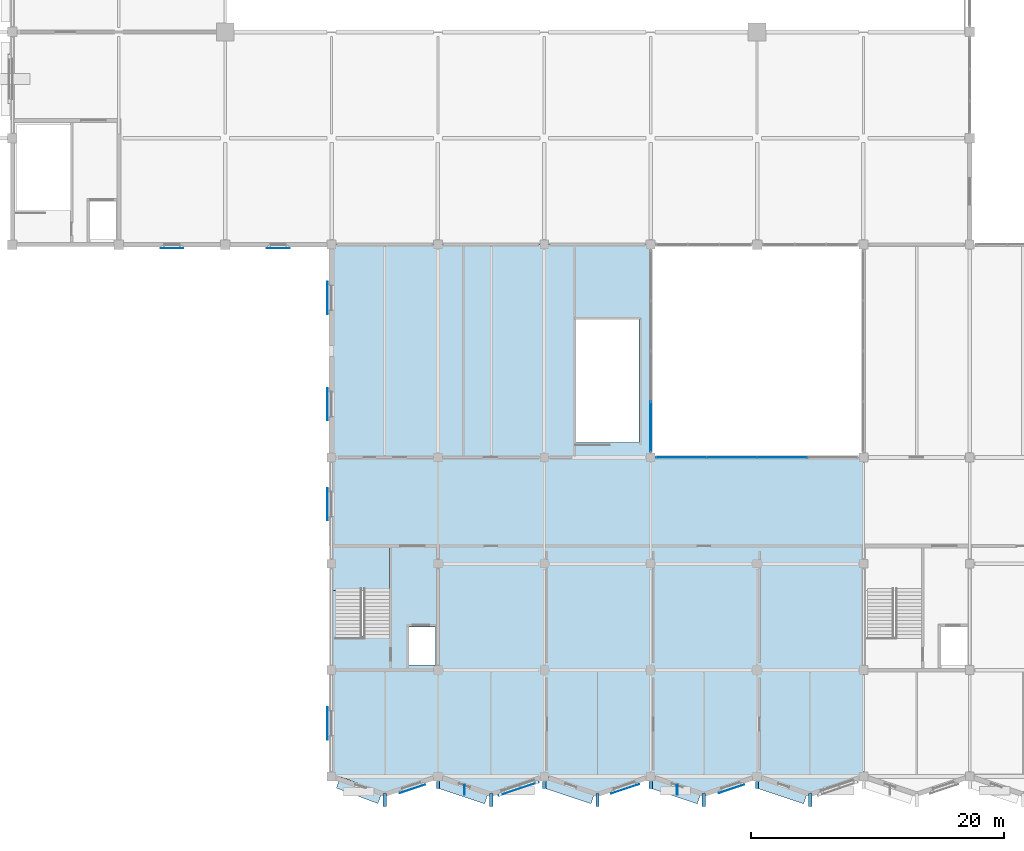
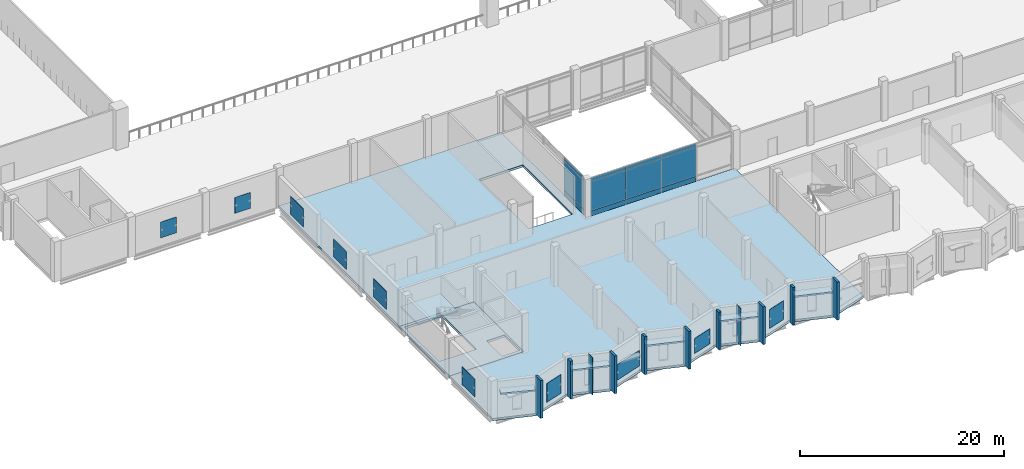
# One storey, part 69 of 110: 38 plates, 3 slabs, 3 elements without a shape of their own.
"""IFC4 building model written with IfcOpenShell, lengths in metres."""

from ifc_helpers import new_model, si_unit, direction, frame, frame_2d, origin, place, context, subcontext, project, spatial, polyline, rectangle, outline, extrude, material, layer, layer_set, type_object, element, aggregate, save


model = new_model("IFC4")

# Units and contexts
model_context = context("Model", 3, precision=1e-05, world=origin(), true_north=direction((0.0, 1.0)))
body_context = subcontext(model_context, "Body", "Model", "MODEL_VIEW")
ifc_project = project(units=[si_unit("LENGTHUNIT", "METRE"), si_unit("AREAUNIT", "SQUARE_METRE"), si_unit("VOLUMEUNIT", "CUBIC_METRE"), si_unit("PLANEANGLEUNIT", "RADIAN"), si_unit("MASSUNIT", "GRAM", prefix="KILO")], contexts=[model_context])

# Site, building, storey
site_placement = place(None, origin())
site = spatial("IfcSite", under=ifc_project, at=site_placement, CompositionType="ELEMENT")
building_placement = place(site_placement, origin())
building = spatial("IfcBuilding", under=site, at=building_placement, Name="Qawsi Khor Wholesale Market", CompositionType="ELEMENT")
storey_placement = place(building_placement, frame((0.0, 0.0, 11.39990234375)))
storey = spatial("IfcBuildingStorey", under=building, at=storey_placement, Name="L02", CompositionType="ELEMENT", Elevation=11.39990234375)

# Curtain wall, plates
ifc_material_1 = material(Name="Aluminium Anodised Bronze", Category="aluminium")
ifc_layer_1 = layer(ifc_material_1, 0.179931640625, Name="Aluminium Anodised Bronze")
ifc_layer_set_1 = layer_set([ifc_layer_1], Name="Aluminium Anodised Bronze")
curtain_wall_type = type_object("IfcCurtainWallType", Name="Atrium Full-Height Curtain Wall CW-02", PredefinedType="NOTDEFINED", material=ifc_layer_set_1)
curtain_wall_1_placement = place(storey_placement, origin())
curtain_wall_1 = element("IfcCurtainWall", 1, at=curtain_wall_1_placement, inside=storey, type_object=curtain_wall_type, Name="Curtain wall CW-CW-02-L02-021", PredefinedType="NOTDEFINED")
ifc_material_2 = material(Name="Anodised Aluminium Spandrel", Category="aluminium")
ifc_layer_2 = layer(ifc_material_2, 0.06494140625, Name="Anodised Aluminium Spandrel")
ifc_layer_set_2 = layer_set([ifc_layer_2], Name="Anodised Aluminium Spandrel")
plate_type_1 = type_object("IfcPlateType", Name="Insulated Spandrel Panel CW-02 65mm", PredefinedType="CURTAIN_PANEL", material=ifc_layer_set_2)
plate_1_placement = place(storey_placement, frame((50.844970703125, 25.199951171875, 0.005126953125), z_axis=(0.0, 0.0, 1.0), x_axis=(1.0, 0.0, 0.0)))
plate_1 = element("IfcPlate", 2, at=plate_1_placement, type_object=plate_type_1, Name="Curtain panel CW-CW-02-L02-021-P0_00", PredefinedType="CURTAIN_PANEL", context=body_context, shape_type="SweptSolid", body=[
    extrude(rectangle(XDim=3.9775390625, YDim=0.06494140625, at=frame_2d((1.98876953125, 0.0))), origin(), (0.0, 0.0, 1.0), 0.590087890625),
])
plate_2_placement = place(storey_placement, frame((54.822509765625, 25.199951171875, 0.005126953125), z_axis=(0.0, 0.0, 1.0), x_axis=(1.0, 0.0, 0.0)))
plate_2 = element("IfcPlate", 3, at=plate_2_placement, type_object=plate_type_1, Name="Curtain panel CW-CW-02-L02-021-P0_01", PredefinedType="CURTAIN_PANEL", context=body_context, shape_type="SweptSolid", body=[
    extrude(rectangle(XDim=3.9775390625, YDim=0.06494140625, at=frame_2d((1.98876953125, 0.0))), origin(), (0.0, 0.0, 1.0), 0.590087890625),
])
plate_3_placement = place(storey_placement, frame((58.800048828125, 25.199951171875, 0.005126953125), z_axis=(0.0, 0.0, 1.0), x_axis=(1.0, 0.0, 0.0)))
plate_3 = element("IfcPlate", 4, at=plate_3_placement, type_object=plate_type_1, Name="Curtain panel CW-CW-02-L02-021-P0_02", PredefinedType="CURTAIN_PANEL", context=body_context, shape_type="SweptSolid", body=[
    extrude(rectangle(XDim=3.9775390625, YDim=0.06494140625, at=frame_2d((1.98876953125, 0.0))), origin(), (0.0, 0.0, 1.0), 0.590087890625),
])

# Curtain wall, plate
curtain_wall_2_placement = place(storey_placement, origin())
curtain_wall_2 = element("IfcCurtainWall", 5, at=curtain_wall_2_placement, inside=storey, type_object=curtain_wall_type, Name="Curtain wall CW-CW-02-L02-024", PredefinedType="NOTDEFINED")
plate_4_placement = place(storey_placement, frame((50.39990234375, 25.64501953125, 0.005126953125), z_axis=(0.0, 0.0, 1.0), x_axis=(0.0, 1.0, 0.0)))
plate_4 = element("IfcPlate", 6, at=plate_4_placement, type_object=plate_type_1, Name="Curtain panel CW-CW-02-L02-024-P0_00", PredefinedType="CURTAIN_PANEL", context=body_context, shape_type="SweptSolid", body=[
    extrude(rectangle(XDim=3.9775390625, YDim=0.06494140625, at=frame_2d((1.98876953125, 0.0))), origin(), (0.0, 0.0, 1.0), 0.590087890625),
])

# Plates
ifc_material_3 = material(Name="Perforated Bronze-Anodised Aluminium", Category="aluminium")
ifc_layer_3 = layer(ifc_material_3, 0.014892578125, Name="Perforated Bronze-Anodised Aluminium")
ifc_layer_set_3 = layer_set([ifc_layer_3], Name="Perforated Bronze-Anodised Aluminium")
plate_type_2 = type_object("IfcPlateType", Name="Perforated Bronze Mashrabiya Screen 15mm", PredefinedType="SHEET", material=ifc_layer_set_3)
plate_5_placement = place(storey_placement, frame((13.5, 41.72509765625, 1.050048828125), z_axis=(0.0, 0.0, 1.0), x_axis=(-1.0, 0.0, 0.0)))
element("IfcPlate", 7, at=plate_5_placement, inside=storey, type_object=plate_type_2, Name="Solar mashrabiya screen 083", PredefinedType="SHEET", context=body_context, shape_type="SweptSolid", body=[
    extrude(rectangle(XDim=1.800048828125, YDim=0.014892578125, at=frame_2d((0.89990234375, 0.0))), origin(), (0.0, 0.0, 1.0), 1.900146484375),
])
plate_6_placement = place(storey_placement, frame((21.89990234375, 41.72509765625, 1.050048828125), z_axis=(0.0, 0.0, 1.0), x_axis=(-1.0, 0.0, 0.0)))
element("IfcPlate", 8, at=plate_6_placement, inside=storey, type_object=plate_type_2, Name="Solar mashrabiya screen 084", PredefinedType="SHEET", context=body_context, shape_type="SweptSolid", body=[
    extrude(rectangle(XDim=1.7998046875, YDim=0.014892578125, at=frame_2d((0.89990234375, 0.0))), origin(), (0.0, 0.0, 1.0), 1.900146484375),
])
ifc_layer_4 = layer(ifc_material_3, 0.02001953125, Name="Perforated Bronze-Anodised Aluminium")
ifc_layer_set_4 = layer_set([ifc_layer_4], Name="Perforated Bronze-Anodised Aluminium")
plate_type_3 = type_object("IfcPlateType", Name="Perforated Bronze Mashrabiya Screen 20mm", PredefinedType="SHEET", material=ifc_layer_set_4)
plate_7_placement = place(storey_placement, frame((32.5869140625, -0.63818359375, 0.85009765625), z_axis=(0.0, 0.0, 1.0), x_axis=(-0.948694922148, -0.316192891587, 0.0)))
element("IfcPlate", 9, at=plate_7_placement, inside=storey, type_object=plate_type_3, Name="Solar mashrabiya screen 021", PredefinedType="SHEET", context=body_context, shape_type="SweptSolid", body=[
    extrude(rectangle(XDim=2.10009765625, YDim=0.02001953125, at=frame_2d((1.050048828125, 0.0))), origin(), (0.0, 0.0, 1.0), 2.25),
])
plate_8_placement = place(storey_placement, frame((41.555908203125, -0.448486328125, 0.85009765625), z_axis=(0.0, 0.0, 1.0), x_axis=(-0.948690696143, -0.316205570874, 0.0)))
element("IfcPlate", 10, at=plate_8_placement, inside=storey, type_object=plate_type_3, Name="Solar mashrabiya screen 022", PredefinedType="SHEET", context=body_context, shape_type="SweptSolid", body=[
    extrude(rectangle(XDim=3.300048828125, YDim=0.02001953125, at=frame_2d((1.64990234375, 0.0))), origin(), (0.0, 0.0, 1.0), 1.85009765625),
])
plate_9_placement = place(storey_placement, frame((49.4912109375, -0.603515625, 0.85009765625), z_axis=(0.0, 0.0, 1.0), x_axis=(-0.948714864533, -0.31613305081, 0.0)))
element("IfcPlate", 11, at=plate_9_placement, inside=storey, type_object=plate_type_3, Name="Solar mashrabiya screen 023", PredefinedType="SHEET", context=body_context, shape_type="SweptSolid", body=[
    extrude(rectangle(XDim=2.31982421875, YDim=0.02001953125, at=frame_2d((1.159912109375, 0.0))), origin(), (0.0, 0.0, 1.0), 1.800048828125),
])
plate_10_placement = place(storey_placement, frame((57.786865234375, -0.63818359375, 0.85009765625), z_axis=(0.0, 0.0, 1.0), x_axis=(-0.948694922148, -0.316192891587, 0.0)))
element("IfcPlate", 12, at=plate_10_placement, inside=storey, type_object=plate_type_3, Name="Solar mashrabiya screen 024", PredefinedType="SHEET", context=body_context, shape_type="SweptSolid", body=[
    extrude(rectangle(XDim=2.10009765625, YDim=0.02001953125, at=frame_2d((1.050048828125, 0.0))), origin(), (0.0, 0.0, 1.0), 2.25),
])
plate_11_placement = place(storey_placement, frame((24.885009765625, 2.925048828125, 0.900146484375), z_axis=(0.0, 0.0, 1.0), x_axis=(0.0, 1.0, 0.0)))
element("IfcPlate", 13, at=plate_11_placement, inside=storey, type_object=plate_type_3, Name="Solar mashrabiya screen 060", PredefinedType="SHEET", context=body_context, shape_type="SweptSolid", body=[
    extrude(rectangle(XDim=2.550048828125, YDim=0.02001953125, at=frame_2d((1.27490234375, 0.0))), origin(), (0.0, 0.0, 1.0), 2.14990234375),
])
plate_12_placement = place(storey_placement, frame((24.885009765625, 20.22509765625, 0.900146484375), z_axis=(0.0, 0.0, 1.0), x_axis=(0.0, 1.0, 0.0)))
element("IfcPlate", 14, at=plate_12_placement, inside=storey, type_object=plate_type_3, Name="Solar mashrabiya screen 061", PredefinedType="SHEET", context=body_context, shape_type="SweptSolid", body=[
    extrude(rectangle(XDim=2.5498046875, YDim=0.02001953125, at=frame_2d((1.27490234375, 0.0))), origin(), (0.0, 0.0, 1.0), 2.14990234375),
])
for number, where, z_axis, x_axis, name in (
    (15, (24.885009765625, 28.125, 0.900146484375), (0.0, 0.0, 1.0), (0.0, 1.0, 0.0), "Solar mashrabiya screen 062"),
    (16, (24.885009765625, 36.52490234375, 0.900146484375), (0.0, 0.0, 1.0), (0.0, 1.0, 0.0), "Solar mashrabiya screen 063"),
):
    element("IfcPlate", number, at=place(storey_placement, frame(where, z_axis=z_axis, x_axis=x_axis)), inside=storey, type_object=plate_type_3, Name=name, PredefinedType="SHEET", context=body_context, shape_type="SweptSolid", body=[
        extrude(rectangle(XDim=2.550048828125, YDim=0.02001953125, at=frame_2d((1.27490234375, 0.0))), origin(), (0.0, 0.0, 1.0), 2.14990234375),
    ])
ifc_material_4 = material(Name="Concrete C40/50", Category="concrete")
ifc_layer_5 = layer(ifc_material_4, 0.260009765625, Name="Concrete C40/50")
ifc_layer_set_5 = layer_set([ifc_layer_5], Name="Concrete C40/50")
plate_type_4 = type_object("IfcPlateType", Name="Sculpted Concrete Solar Buttress Fin 260", PredefinedType="SHEET", material=ifc_layer_set_5)
plate_13_placement = place(storey_placement, frame((29.39990234375, -2.35009765625, 0.0), z_axis=(0.0, 0.0, 1.0), x_axis=(0.0, 1.0, 0.0)))
element("IfcPlate", 17, at=plate_13_placement, inside=storey, type_object=plate_type_4, Name="Boulevard concrete solar buttress fin L02-01", PredefinedType="SHEET", context=body_context, shape_type="SweptSolid", body=[
    extrude(rectangle(XDim=1.0, YDim=0.260009765625, at=frame_2d((0.5, 0.0))), origin(), (0.0, 0.0, 1.0), 4.52001953125),
])
plate_14_placement = place(storey_placement, frame((33.60009765625, -0.949951171875, 0.0), z_axis=(0.0, 0.0, 1.0), x_axis=(0.0, 1.0, 0.0)))
element("IfcPlate", 18, at=plate_14_placement, inside=storey, type_object=plate_type_4, Name="Boulevard concrete solar buttress fin L02-02", PredefinedType="SHEET", context=body_context, shape_type="SweptSolid", body=[
    extrude(rectangle(XDim=0.570068359375, YDim=0.260009765625, at=frame_2d((0.28515625, 0.0))), origin(), (0.0, 0.0, 1.0), 4.52001953125),
])
plate_15_placement = place(storey_placement, frame((37.800048828125, -2.35009765625, 0.0), z_axis=(0.0, 0.0, 1.0), x_axis=(0.0, 1.0, 0.0)))
element("IfcPlate", 19, at=plate_15_placement, inside=storey, type_object=plate_type_4, Name="Boulevard concrete solar buttress fin L02-03", PredefinedType="SHEET", context=body_context, shape_type="SweptSolid", body=[
    extrude(rectangle(XDim=1.0, YDim=0.260009765625, at=frame_2d((0.5, 0.0))), origin(), (0.0, 0.0, 1.0), 4.52001953125),
])
plate_16_placement = place(storey_placement, frame((42.0, -0.949951171875, 0.0), z_axis=(0.0, 0.0, 1.0), x_axis=(0.0, 1.0, 0.0)))
element("IfcPlate", 20, at=plate_16_placement, inside=storey, type_object=plate_type_4, Name="Boulevard concrete solar buttress fin L02-04", PredefinedType="SHEET", context=body_context, shape_type="SweptSolid", body=[
    extrude(rectangle(XDim=0.570068359375, YDim=0.260009765625, at=frame_2d((0.28515625, 0.0))), origin(), (0.0, 0.0, 1.0), 4.52001953125),
])
plate_17_placement = place(storey_placement, frame((46.199951171875, -2.35009765625, 0.0), z_axis=(0.0, 0.0, 1.0), x_axis=(0.0, 1.0, 0.0)))
element("IfcPlate", 21, at=plate_17_placement, inside=storey, type_object=plate_type_4, Name="Boulevard concrete solar buttress fin L02-05", PredefinedType="SHEET", context=body_context, shape_type="SweptSolid", body=[
    extrude(rectangle(XDim=1.0, YDim=0.260009765625, at=frame_2d((0.5, 0.0))), origin(), (0.0, 0.0, 1.0), 4.52001953125),
])
plate_18_placement = place(storey_placement, frame((50.39990234375, -0.949951171875, 0.0), z_axis=(0.0, 0.0, 1.0), x_axis=(0.0, 1.0, 0.0)))
element("IfcPlate", 22, at=plate_18_placement, inside=storey, type_object=plate_type_4, Name="Boulevard concrete solar buttress fin L02-06", PredefinedType="SHEET", context=body_context, shape_type="SweptSolid", body=[
    extrude(rectangle(XDim=0.570068359375, YDim=0.260009765625, at=frame_2d((0.28515625, 0.0))), origin(), (0.0, 0.0, 1.0), 4.52001953125),
])
plate_19_placement = place(storey_placement, frame((54.60009765625, -2.35009765625, 0.0), z_axis=(0.0, 0.0, 1.0), x_axis=(0.0, 1.0, 0.0)))
element("IfcPlate", 23, at=plate_19_placement, inside=storey, type_object=plate_type_4, Name="Boulevard concrete solar buttress fin L02-07", PredefinedType="SHEET", context=body_context, shape_type="SweptSolid", body=[
    extrude(rectangle(XDim=1.0, YDim=0.260009765625, at=frame_2d((0.5, 0.0))), origin(), (0.0, 0.0, 1.0), 4.52001953125),
])
plate_20_placement = place(storey_placement, frame((58.800048828125, -0.949951171875, 0.0), z_axis=(0.0, 0.0, 1.0), x_axis=(0.0, 1.0, 0.0)))
element("IfcPlate", 24, at=plate_20_placement, inside=storey, type_object=plate_type_4, Name="Boulevard concrete solar buttress fin L02-08", PredefinedType="SHEET", context=body_context, shape_type="SweptSolid", body=[
    extrude(rectangle(XDim=0.570068359375, YDim=0.260009765625, at=frame_2d((0.28515625, 0.0))), origin(), (0.0, 0.0, 1.0), 4.52001953125),
])
plate_21_placement = place(storey_placement, frame((63.0, -2.35009765625, 0.0), z_axis=(0.0, 0.0, 1.0), x_axis=(0.0, 1.0, 0.0)))
element("IfcPlate", 25, at=plate_21_placement, inside=storey, type_object=plate_type_4, Name="Boulevard concrete solar buttress fin L02-09", PredefinedType="SHEET", context=body_context, shape_type="SweptSolid", body=[
    extrude(rectangle(XDim=1.0, YDim=0.260009765625, at=frame_2d((0.5, 0.0))), origin(), (0.0, 0.0, 1.0), 4.52001953125),
])
ifc_layer_6 = layer(ifc_material_4, 0.949951171875, Name="Concrete C40/50")
ifc_layer_set_6 = layer_set([ifc_layer_6], Name="Concrete C40/50")
plate_type_5 = type_object("IfcPlateType", Name="Sculpted Concrete Sun-Hood Canopy 950", PredefinedType="SHEET", material=ifc_layer_set_6)
plate_22_placement = place(storey_placement, frame((25.744384765625, -0.462158203125, 3.25), z_axis=(0.0, 0.0, 1.0), x_axis=(0.936840905705, -0.349755796803, 0.0)))
element("IfcPlate", 26, at=plate_22_placement, inside=storey, type_object=plate_type_5, Name="Sculpted concrete sun-hood L02-01", PredefinedType="SHEET", context=body_context, shape_type="SweptSolid", body=[
    extrude(rectangle(XDim=3.502685546875, YDim=0.949951171875, at=frame_2d((1.75146484375, 0.0))), origin(), (0.0, 0.0, 1.0), 0.190185546875),
])
for number, where, z_axis, x_axis, name in (
    (27, (33.710693359375, -0.45849609375, 3.25), (0.0, 0.0, 1.0), (0.94867708111, -0.316246416226, 0.0), "Sculpted concrete sun-hood L02-03"),
    (28, (42.110595703125, -0.45849609375, 3.25), (0.0, 0.0, 1.0), (0.94867708111, -0.316246416226, 0.0), "Sculpted concrete sun-hood L02-05"),
    (29, (50.5107421875, -0.45849609375, 3.25), (0.0, 0.0, 1.0), (0.94867708111, -0.316246416226, 0.0), "Sculpted concrete sun-hood L02-07"),
    (30, (58.91064453125, -0.45849609375, 3.25), (0.0, 0.0, 1.0), (0.94867708111, -0.316246416226, 0.0), "Sculpted concrete sun-hood L02-09"),
):
    element("IfcPlate", number, at=place(storey_placement, frame(where, z_axis=z_axis, x_axis=x_axis)), inside=storey, type_object=plate_type_5, Name=name, PredefinedType="SHEET", context=body_context, shape_type="SweptSolid", body=[
        extrude(rectangle(XDim=3.92724609375, YDim=0.949951171875, at=frame_2d((1.963623046875, 0.0))), origin(), (0.0, 0.0, 1.0), 0.190185546875),
    ])

# Plate
ifc_material_5 = material(Name="Tempered Low-E Solar Glass", Category="glass")
ifc_layer_7 = layer(ifc_material_5, 0.031982421875, Name="Tempered Low-E Solar Glass")
ifc_layer_set_7 = layer_set([ifc_layer_7], Name="Tempered Low-E Solar Glass")
plate_type_6 = type_object("IfcPlateType", Name="Solar Double-Glazed Unit CW-02 32mm", PredefinedType="CURTAIN_PANEL", material=ifc_layer_set_7)
plate_23_placement = place(storey_placement, frame((50.844970703125, 25.199951171875, 0.60498046875), z_axis=(0.0, 0.0, 1.0), x_axis=(1.0, 0.0, 0.0)))
plate_23 = element("IfcPlate", 31, at=plate_23_placement, type_object=plate_type_6, Name="Curtain panel CW-CW-02-L02-021-P1_00", PredefinedType="CURTAIN_PANEL", context=body_context, shape_type="SweptSolid", body=[
    extrude(rectangle(XDim=3.9775390625, YDim=0.031982421875, at=frame_2d((1.98876953125, 0.0))), origin(), (0.0, 0.0, 1.0), 3.460205078125),
])

plate_24_placement = place(storey_placement, frame((54.822509765625, 25.199951171875, 0.60498046875), z_axis=(0.0, 0.0, 1.0), x_axis=(1.0, 0.0, 0.0)))
plate_24 = element("IfcPlate", 32, at=plate_24_placement, type_object=plate_type_6, Name="Curtain panel CW-CW-02-L02-021-P1_01", PredefinedType="CURTAIN_PANEL", context=body_context, shape_type="SweptSolid", body=[
    extrude(rectangle(XDim=3.9775390625, YDim=0.031982421875, at=frame_2d((1.98876953125, 0.0))), origin(), (0.0, 0.0, 1.0), 3.460205078125),
])

plate_25_placement = place(storey_placement, frame((58.800048828125, 25.199951171875, 0.60498046875), z_axis=(0.0, 0.0, 1.0), x_axis=(1.0, 0.0, 0.0)))
plate_25 = element("IfcPlate", 33, at=plate_25_placement, type_object=plate_type_6, Name="Curtain panel CW-CW-02-L02-021-P1_02", PredefinedType="CURTAIN_PANEL", context=body_context, shape_type="SweptSolid", body=[
    extrude(rectangle(XDim=3.9775390625, YDim=0.031982421875, at=frame_2d((1.98876953125, 0.0))), origin(), (0.0, 0.0, 1.0), 3.460205078125),
])

plate_26_placement = place(storey_placement, frame((50.844970703125, 25.199951171875, 4.0751953125), z_axis=(0.0, 0.0, 1.0), x_axis=(1.0, 0.0, 0.0)))
plate_26 = element("IfcPlate", 34, at=plate_26_placement, type_object=plate_type_6, Name="Curtain panel CW-CW-02-L02-021-P2_00", PredefinedType="CURTAIN_PANEL", context=body_context, shape_type="SweptSolid", body=[
    extrude(rectangle(XDim=3.9775390625, YDim=0.031982421875, at=frame_2d((1.98876953125, 0.0))), origin(), (0.0, 0.0, 1.0), 0.43994140625),
])

plate_27_placement = place(storey_placement, frame((54.822509765625, 25.199951171875, 4.0751953125), z_axis=(0.0, 0.0, 1.0), x_axis=(1.0, 0.0, 0.0)))
plate_27 = element("IfcPlate", 35, at=plate_27_placement, type_object=plate_type_6, Name="Curtain panel CW-CW-02-L02-021-P2_01", PredefinedType="CURTAIN_PANEL", context=body_context, shape_type="SweptSolid", body=[
    extrude(rectangle(XDim=3.9775390625, YDim=0.031982421875, at=frame_2d((1.98876953125, 0.0))), origin(), (0.0, 0.0, 1.0), 0.43994140625),
])

plate_28_placement = place(storey_placement, frame((58.800048828125, 25.199951171875, 4.0751953125), z_axis=(0.0, 0.0, 1.0), x_axis=(1.0, 0.0, 0.0)))
plate_28 = element("IfcPlate", 36, at=plate_28_placement, type_object=plate_type_6, Name="Curtain panel CW-CW-02-L02-021-P2_02", PredefinedType="CURTAIN_PANEL", context=body_context, shape_type="SweptSolid", body=[
    extrude(rectangle(XDim=3.9775390625, YDim=0.031982421875, at=frame_2d((1.98876953125, 0.0))), origin(), (0.0, 0.0, 1.0), 0.43994140625),
])

aggregate(curtain_wall_1, [plate_1, plate_2, plate_3, plate_23, plate_24, plate_25, plate_26, plate_27, plate_28])

plate_29_placement = place(storey_placement, frame((50.39990234375, 25.64501953125, 0.60498046875), z_axis=(0.0, 0.0, 1.0), x_axis=(0.0, 1.0, 0.0)))
plate_29 = element("IfcPlate", 37, at=plate_29_placement, type_object=plate_type_6, Name="Curtain panel CW-CW-02-L02-024-P1_00", PredefinedType="CURTAIN_PANEL", context=body_context, shape_type="SweptSolid", body=[
    extrude(rectangle(XDim=3.9775390625, YDim=0.031982421875, at=frame_2d((1.98876953125, 0.0))), origin(), (0.0, 0.0, 1.0), 3.460205078125),
])

plate_30_placement = place(storey_placement, frame((50.39990234375, 25.64501953125, 4.0751953125), z_axis=(0.0, 0.0, 1.0), x_axis=(0.0, 1.0, 0.0)))
plate_30 = element("IfcPlate", 38, at=plate_30_placement, type_object=plate_type_6, Name="Curtain panel CW-CW-02-L02-024-P2_00", PredefinedType="CURTAIN_PANEL", context=body_context, shape_type="SweptSolid", body=[
    extrude(rectangle(XDim=3.9775390625, YDim=0.031982421875, at=frame_2d((1.98876953125, 0.0))), origin(), (0.0, 0.0, 1.0), 0.43994140625),
])

aggregate(curtain_wall_2, [plate_4, plate_29, plate_30])

# Stair, slab
stair_type = type_object("IfcStairType", Name="Exit Stair L02-L03 4800 Rise", PredefinedType="HALF_TURN_STAIR", material=ifc_material_4)
stair_placement = place(storey_placement, origin())
stair = element("IfcStair", 39, at=stair_placement, inside=storey, type_object=stair_type, Name="Stair ST-01 L02", PredefinedType="HALF_TURN_STAIR")
ifc_layer_8 = layer(ifc_material_4, 0.179931640625, Name="Concrete C40/50")
ifc_layer_set_8 = layer_set([ifc_layer_8], Name="Concrete C40/50")
slab_type_1 = type_object("IfcSlabType", Name="Stair Half-Landing Slab 180 C40/50", PredefinedType="LANDING", material=ifc_layer_set_8)
slab_1_placement = place(storey_placement, frame((0.0, 0.0, 2.22021484375)))
slab_1 = element("IfcSlab", 40, at=slab_1_placement, type_object=slab_type_1, Name="ST-01-L02 landing 1", PredefinedType="LANDING", context=body_context, shape_type="SweptSolid", body=[
    extrude(outline(polyline([(25.25, 14.679931640625), (29.780029296875, 14.679931640625), (29.780029296875, 18.14990234375), (25.25, 18.14990234375), (25.25, 14.679931640625)])), origin(), (0.0, 0.0, 1.0), 0.179931640625),
])
aggregate(stair, [slab_1])

# Slabs
ifc_layer_9 = layer(ifc_material_4, 0.280029296875, Name="Concrete C40/50")
ifc_layer_set_9 = layer_set([ifc_layer_9], Name="Concrete C40/50")
slab_type_2 = type_object("IfcSlabType", Name="Suspended Floor Slab 280 C40/50", PredefinedType="FLOOR", material=ifc_layer_set_9)
slab_2_placement = place(storey_placement, frame((0.0, 0.0, -0.27978515625)))
element("IfcSlab", 41, at=slab_2_placement, inside=storey, type_object=slab_type_2, Name="Core floor slab L02 C01", PredefinedType="FLOOR", context=body_context, shape_type="SweptSolid", body=[
    extrude(outline(polyline([(25.199951171875, 18.199951171875), (33.60009765625, 18.199951171875), (33.60009765625, 8.39990234375), (25.199951171875, 8.39990234375), (25.199951171875, 18.199951171875)]), holes=[polyline([(31.320068359375, 8.800048828125), (33.39990234375, 8.800048828125), (33.39990234375, 11.800048828125), (31.320068359375, 11.800048828125), (31.320068359375, 8.800048828125)]), polyline([(25.5400390625, 11.080078125), (29.780029296875, 11.080078125), (29.780029296875, 17.860107421875), (25.5400390625, 17.860107421875), (25.5400390625, 11.080078125)])]), origin(), (0.0, 0.0, 1.0), 0.27978515625),
])
slab_3_placement = place(storey_placement, frame((0.0, 0.0, -0.27978515625)))
element("IfcSlab", 42, at=slab_3_placement, inside=storey, type_object=slab_type_2, Name="SLB-L02-SWING-1", PredefinedType="FLOOR", context=body_context, shape_type="SweptSolid", body=[
    extrude(outline(polyline([(25.199951171875, 8.39990234375), (33.60009765625, 8.39990234375), (33.60009765625, 18.199951171875), (25.199951171875, 18.199951171875), (25.199951171875, 42.0), (50.39990234375, 42.0), (50.39990234375, 25.199951171875), (67.199951171875, 25.199951171875), (67.199951171875, 18.199951171875), (67.199951171875, 8.39990234375), (67.199951171875, 0.0), (63.0, -1.39990234375), (58.800048828125, 0.0), (54.60009765625, -1.39990234375), (50.39990234375, 0.0), (46.199951171875, -1.39990234375), (42.0, 0.0), (37.800048828125, -1.39990234375), (33.60009765625, 0.0), (29.39990234375, -1.39990234375), (25.199951171875, 0.0), (25.199951171875, 8.39990234375)]), holes=[polyline([(49.47998046875, 36.080078125), (44.52001953125, 36.080078125), (44.52001953125, 26.360107421875), (49.47998046875, 26.360107421875), (49.47998046875, 36.080078125)])]), origin(), (0.0, 0.0, 1.0), 0.27978515625),
])

# Plates
ifc_layer_10 = layer(ifc_material_3, 0.044921875, Name="Perforated Bronze-Anodised Aluminium")
ifc_layer_set_10 = layer_set([ifc_layer_10], Name="Perforated Bronze-Anodised Aluminium")
plate_type_7 = type_object("IfcPlateType", Name="Vertical Sculpted Sun-Fin Plate 45mm", PredefinedType="SHEET", material=ifc_layer_set_10)
for number, where, z_axis, x_axis, name in (
    (43, (35.699951171875, -1.449951171875, 0.0), (0.0, 0.0, 1.0), (0.0, 1.0, 0.0), "Sculpted vertical sun-fin L02-02"),
    (44, (52.5, -1.449951171875, 0.0), (0.0, 0.0, 1.0), (0.0, 1.0, 0.0), "Sculpted vertical sun-fin L02-06"),
):
    element("IfcPlate", number, at=place(storey_placement, frame(where, z_axis=z_axis, x_axis=x_axis)), inside=storey, type_object=plate_type_7, Name=name, PredefinedType="SHEET", context=body_context, shape_type="SweptSolid", body=[
        extrude(rectangle(XDim=0.800048828125, YDim=0.044921875, at=frame_2d((0.39990234375, 0.0))), origin(), (0.0, 0.0, 1.0), 4.52001953125),
    ])

save(model, "model.ifc")
